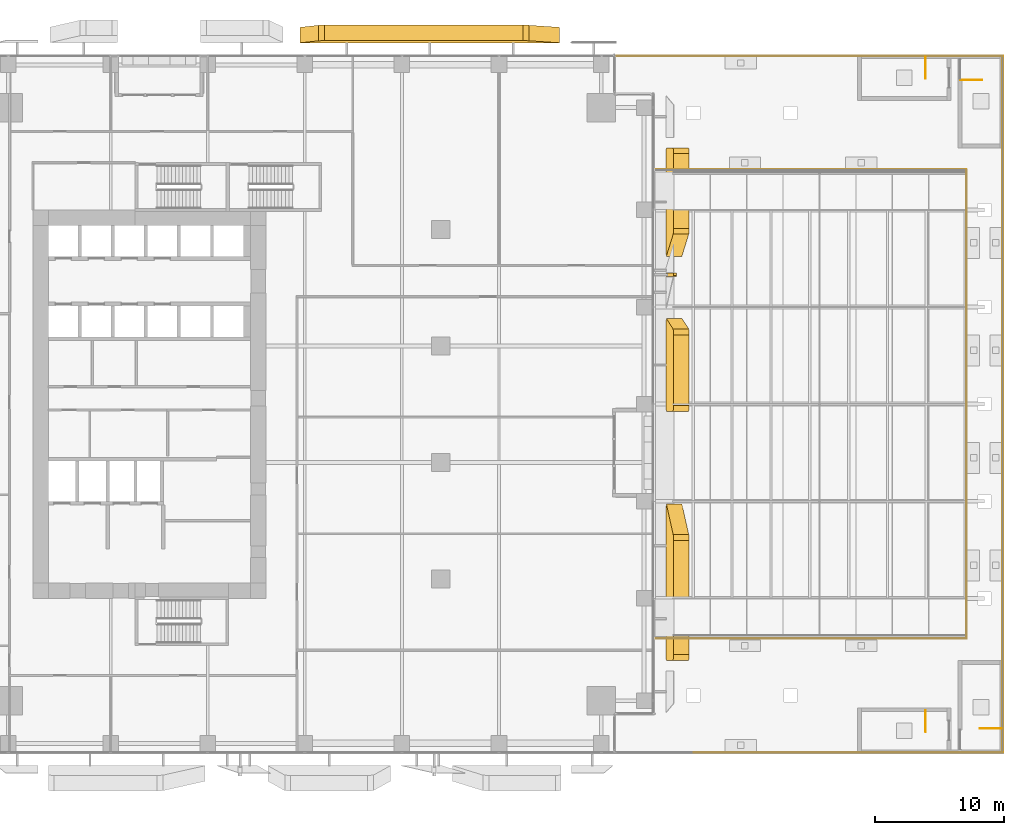
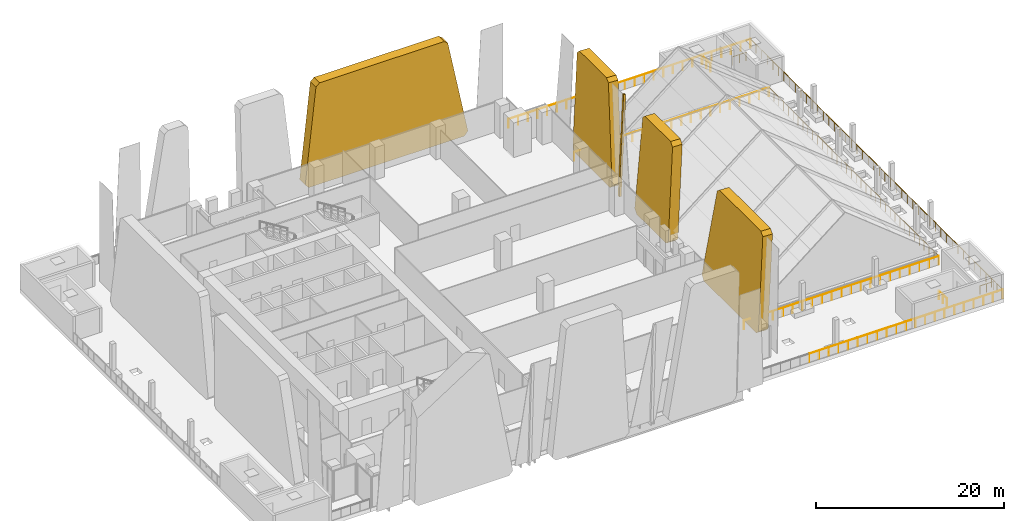
# One storey, part 45 of 46: 37 railings, 5 coverings.
"""IFC4 building model written with IfcOpenShell, lengths in metres."""

from ifc_helpers import new_model, si_unit, direction, frame, origin, origin_2d, place, context, subcontext, project, spatial, polyline, circle, outline, extrude, source, transform, mapped, material, layer, layer_set, type_object, element, save


model = new_model("IFC4")

# Units and contexts
model_context = context("Model", 3, precision=1e-05, world=origin(), true_north=direction((0.0, 1.0)))
body_context = subcontext(model_context, "Body", "Model", "MODEL_VIEW")
ifc_project = project(units=[si_unit("LENGTHUNIT", "METRE"), si_unit("AREAUNIT", "SQUARE_METRE"), si_unit("VOLUMEUNIT", "CUBIC_METRE"), si_unit("PLANEANGLEUNIT", "RADIAN"), si_unit("MASSUNIT", "GRAM", prefix="KILO")], contexts=[model_context])

# Site, building, storey
site_placement = place(None, origin())
site = spatial("IfcSite", under=ifc_project, at=site_placement, CompositionType="ELEMENT")
building_placement = place(site_placement, origin())
building = spatial("IfcBuilding", under=site, at=building_placement, Name="Khomas Fold Tower", CompositionType="ELEMENT")
storey_placement = place(building_placement, frame((0.0, 0.0, 33.0)))
storey = spatial("IfcBuildingStorey", under=building, at=storey_placement, Name="L06", CompositionType="ELEMENT", Elevation=33.0)

# Coverings
ifc_material_1 = material(Name="Natural stone cladding", Category="masonry")
ifc_layer_1 = layer(ifc_material_1, 0.25)
ifc_layer_set_1 = layer_set([ifc_layer_1], Name="Natural stone cladding")
covering_type_1 = type_object("IfcCoveringType", Name="SK-Karibib marble stone mullion", PredefinedType="CLADDING", material=ifc_layer_set_1)
covering_1_placement = place(storey_placement, frame((55.471435546875, 36.953125, 13.050048828125), z_axis=(-0.999042304017, -0.000125469863, 0.043754531682), x_axis=(-0.000125349702, 0.999999992129, 5.489875e-06)))
element("IfcCovering", 1, at=covering_1_placement, inside=storey, type_object=covering_type_1, Name="OUTER SKIN mullion L06 EM105-3", PredefinedType="CLADDING", context=body_context, shape_type="SweptSolid", body=[
    extrude(outline(polyline([(0.0, 0.0), (0.19677734220109797, 1.6667689342943508e-22), (0.1967773405791708, 13.062558119241189), (-0.10302734456096359, 13.062558119241189), (-0.10302735237849885, 0.5373765817625322), (0.0, 0.0)])), origin(), (0.0, 0.0, -1.0), 0.25),
])
ifc_material_2 = material(Name="Natural stone cladding", Category="masonry")
ifc_layer_2 = layer(ifc_material_2, 1.199951171875)
ifc_layer_set_2 = layer_set([ifc_layer_2], Name="Natural stone cladding")
covering_type_2 = type_object("IfcCoveringType", Name="SK-Karibib marble stone panel", PredefinedType="CLADDING", material=ifc_layer_set_2)
covering_2_placement = place(storey_placement, frame((55.45556640625, 16.917236328125, 12.6865234375), z_axis=(-0.999042268774, -3.561e-08, 0.043755516258), x_axis=(-0.04294173085, 0.191967007911, -0.980461460551)))
element("IfcCovering", 2, at=covering_2_placement, inside=storey, type_object=covering_type_2, Name="OUTER SKIN leaf L06 ES03-1", PredefinedType="CLADDING", context=body_context, shape_type="SweptSolid", body=[
    extrude(outline(polyline([(0.0, 0.0), (12.392266128866204, -8.881784197001252e-16), (12.834444553285039, 0.5362636837826011), (10.68348609916606, 11.53270321419693), (10.155101346340444, 11.887826753961148), (-1.780503751433697, 9.55316282760177), (-2.136126460096599, 9.025123016386559), (-0.4418863878359812, 0.36358496159893644), (0.0, 0.0)])), origin(), (0.0, 0.0, -1.0), 1.199951171875),
])
covering_3_placement = place(storey_placement, frame((54.919677734375, 26.449951171875, 0.449951171875), z_axis=(-0.999042312177, -1.048732e-05, 0.043754523993), x_axis=(0.043754523996, -8e-11, 0.999042312232)))
element("IfcCovering", 3, at=covering_3_placement, inside=storey, type_object=covering_type_2, Name="OUTER SKIN leaf L06 ES06-2", PredefinedType="CLADDING", context=body_context, shape_type="SweptSolid", body=[
    extrude(outline(polyline([(0.0, 0.0), (12.161797757607857, 1.6940658945086007e-21), (12.61217259726008, 0.44995117372011817), (12.612172596822177, 5.91162109529477), (12.191363892937733, 6.360595703543363), (0.029566135265770063, 7.160156250374393), (-0.4503855224832042, 6.710937500319018), (-0.45038552198121107, 0.44995117253832234), (0.0, 0.0)])), origin(), (0.0, 0.0, -1.0), 1.199951171875),
])
covering_4_placement = place(storey_placement, frame((54.92236328125, 38.421142578125, 0.512939453125), z_axis=(-0.99904229155, 8.745669e-06, 0.043754995341), x_axis=(0.043328576801, 0.139468179908, 0.989278151596)))
element("IfcCovering", 4, at=covering_4_placement, inside=storey, type_object=covering_type_2, Name="OUTER SKIN leaf L06 ES09-3", PredefinedType="CLADDING", context=body_context, shape_type="SweptSolid", body=[
    extrude(outline(polyline([(0.0, 0.0), (12.281587290038106, 2.220446049250313e-16), (12.72751362025374, 0.38714787510770066), (13.532315842009211, 6.101257936651326), (13.149096588111519, 6.609624495372515), (1.1061615129377664, 8.305808292353076), (0.5974239387963091, 7.923069142720134), (-0.4462720208097459, 0.5128093015272426), (0.0, 0.0)])), origin(), (0.0, 0.0, -1.0), 1.199951171875),
])
covering_5_placement = place(storey_placement, frame((26.643310546875, 54.906494140625, 0.502197265625), z_axis=(2.072995e-06, -0.999913541308, 0.013149521101), x_axis=(0.116084442922, 0.013060862384, 0.99315347051)))
element("IfcCovering", 5, at=covering_5_placement, inside=storey, type_object=covering_type_2, Name="OUTER SKIN leaf L06 NS08-3", PredefinedType="CLADDING", context=body_context, shape_type="SweptSolid", body=[
    extrude(outline(polyline([(0.0, 0.0), (12.233904730304682, 2.220446049250313e-16), (12.68084929998809, -0.3978277483004842), (14.463011903572486, -15.646331144424357), (14.153180366074919, -16.127199137499503), (2.3603171642752447, -19.900829687099233), (1.776251320289631, -19.524435584952588), (-0.4469528117997723, -0.5023016392289853), (0.0, 0.0)])), origin(), (0.0, 0.0, -1.0), 1.199951171875),
])

# Railings
ifc_material_3 = material(Name="Powder-coated steel", Category="steel")
railing_type_1 = type_object("IfcRailingType", Name="Balcony guard", PredefinedType="GUARDRAIL", material=ifc_material_3)
shared_shape_1 = source(origin(), body_context, "Body", "SweptSolid", [
    extrude(circle(Radius=0.02490234375, at=origin_2d()), frame((0.0, 0.0, 1.125), z_axis=(0.0, -1.0, 0.0), x_axis=(1.0, 0.0, 0.0)), (0.0, 0.0, 1.0), 5.977783203125),
    extrude(circle(Radius=0.02001953125, at=origin_2d()), origin(), (0.0, 0.0, 1.0), 1.099853515625),
    extrude(circle(Radius=0.02001953125, at=origin_2d()), frame((0.0, -1.195556640625, 0.0)), (0.0, 0.0, 1.0), 1.099853515625),
    extrude(circle(Radius=0.02001953125, at=origin_2d()), frame((0.0, -2.39111328125, 0.0)), (0.0, 0.0, 1.0), 1.099853515625),
    extrude(circle(Radius=0.02001953125, at=origin_2d()), frame((0.0, -3.586669921875, 0.0)), (0.0, 0.0, 1.0), 1.099853515625),
    extrude(circle(Radius=0.02001953125, at=origin_2d()), frame((0.0, -4.7822265625, 0.0)), (0.0, 0.0, 1.0), 1.099853515625),
    extrude(circle(Radius=0.02001953125, at=origin_2d()), frame((0.0, -5.977783203125, 0.0)), (0.0, 0.0, 1.0), 1.099853515625),
])
for number, where, name in (
    (6, (80.89990234375, 53.89990234375, 0.0), "GUARD 201"),
    (7, (80.89990234375, 47.922119140625, 0.0), "GUARD 201"),
    (8, (80.89990234375, 41.9443359375, 0.0), "GUARD 201"),
    (9, (80.89990234375, 35.966552734375, 0.0), "GUARD 201"),
    (10, (80.89990234375, 24.01123046875, 0.0), "GUARD 201"),
    (11, (80.89990234375, 18.033447265625, 0.0), "GUARD 201"),
    (12, (80.89990234375, 12.0556640625, 0.0), "GUARD 201"),
    (13, (80.89990234375, 6.077880859375, 0.0), "GUARD 201"),
):
    element("IfcRailing", number, at=place(storey_placement, frame(where)), inside=storey, type_object=railing_type_1, Name=name, PredefinedType="GUARDRAIL", context=body_context, shape_type="MappedRepresentation", body=[
        mapped(shared_shape_1, transform((0.0, 0.0, 0.0))),
    ])
shared_shape_2 = source(origin(), body_context, "Body", "SweptSolid", [
    extrude(circle(Radius=0.02490234375, at=origin_2d()), frame((0.0, 0.0, 1.125), z_axis=(0.0, -1.0, 0.0), x_axis=(1.0, 0.0, 0.0)), (0.0, 0.0, 1.0), 5.9775390625),
    extrude(circle(Radius=0.02001953125, at=origin_2d()), origin(), (0.0, 0.0, 1.0), 1.099853515625),
    extrude(circle(Radius=0.02001953125, at=origin_2d()), frame((0.0, -1.195556640625, 0.0)), (0.0, 0.0, 1.0), 1.099853515625),
    extrude(circle(Radius=0.02001953125, at=origin_2d()), frame((0.0, -2.39111328125, 0.0)), (0.0, 0.0, 1.0), 1.099853515625),
    extrude(circle(Radius=0.02001953125, at=origin_2d()), frame((0.0, -3.58642578125, 0.0)), (0.0, 0.0, 1.0), 1.099853515625),
    extrude(circle(Radius=0.02001953125, at=origin_2d()), frame((0.0, -4.781982421875, 0.0)), (0.0, 0.0, 1.0), 1.099853515625),
    extrude(circle(Radius=0.02001953125, at=origin_2d()), frame((0.0, -5.9775390625, 0.0)), (0.0, 0.0, 1.0), 1.099853515625),
])
railing_1_placement = place(storey_placement, frame((80.89990234375, 29.98876953125, 0.0)))
element("IfcRailing", 14, at=railing_1_placement, inside=storey, type_object=railing_type_1, Name="GUARD 201", PredefinedType="GUARDRAIL", context=body_context, shape_type="MappedRepresentation", body=[
    mapped(shared_shape_2, transform((0.0, 0.0, 0.0))),
])
shared_shape_3 = source(origin(), body_context, "Body", "SweptSolid", [
    extrude(circle(Radius=0.02490234375, at=origin_2d()), frame((0.0, 0.0, 1.125), z_axis=(-1.0, 0.0, 0.0), x_axis=(0.0, -1.0, 0.0)), (0.0, 0.0, 1.0), 5.9580078125),
    extrude(circle(Radius=0.02001953125, at=origin_2d()), origin(), (0.0, 0.0, 1.0), 1.099853515625),
    extrude(circle(Radius=0.02001953125, at=origin_2d()), frame((-1.191650390625, 0.0, 0.0)), (0.0, 0.0, 1.0), 1.099853515625),
    extrude(circle(Radius=0.02001953125, at=origin_2d()), frame((-2.38330078125, 0.0, 0.0)), (0.0, 0.0, 1.0), 1.099853515625),
    extrude(circle(Radius=0.02001953125, at=origin_2d()), frame((-3.57470703125, 0.0, 0.0)), (0.0, 0.0, 1.0), 1.099853515625),
    extrude(circle(Radius=0.02001953125, at=origin_2d()), frame((-4.766357421875, 0.0, 0.0)), (0.0, 0.0, 1.0), 1.099853515625),
    extrude(circle(Radius=0.02001953125, at=origin_2d()), frame((-5.9580078125, 0.0, 0.0)), (0.0, 0.0, 1.0), 1.099853515625),
])
for number, where, name in (
    (15, (80.89990234375, 0.10009765625, 0.0), "GUARD 201"),
    (16, (74.94189453125, 0.10009765625, 0.0), "GUARD 201"),
    (17, (68.98388671875, 0.10009765625, 0.0), "GUARD 201"),
):
    element("IfcRailing", number, at=place(storey_placement, frame(where)), inside=storey, type_object=railing_type_1, Name=name, PredefinedType="GUARDRAIL", context=body_context, shape_type="MappedRepresentation", body=[
        mapped(shared_shape_3, transform((0.0, 0.0, 0.0))),
    ])
shared_shape_4 = source(origin(), body_context, "Body", "SweptSolid", [
    extrude(circle(Radius=0.02490234375, at=origin_2d()), frame((0.0, 0.0, 1.125), z_axis=(-1.0, 0.0, 0.0), x_axis=(0.0, -1.0, 0.0)), (0.0, 0.0, 1.0), 5.957763671875),
    extrude(circle(Radius=0.02001953125, at=origin_2d()), origin(), (0.0, 0.0, 1.0), 1.099853515625),
    extrude(circle(Radius=0.02001953125, at=origin_2d()), frame((-1.191650390625, 0.0, 0.0)), (0.0, 0.0, 1.0), 1.099853515625),
    extrude(circle(Radius=0.02001953125, at=origin_2d()), frame((-2.383056640625, 0.0, 0.0)), (0.0, 0.0, 1.0), 1.099853515625),
    extrude(circle(Radius=0.02001953125, at=origin_2d()), frame((-3.57470703125, 0.0, 0.0)), (0.0, 0.0, 1.0), 1.099853515625),
    extrude(circle(Radius=0.02001953125, at=origin_2d()), frame((-4.76611328125, 0.0, 0.0)), (0.0, 0.0, 1.0), 1.099853515625),
    extrude(circle(Radius=0.02001953125, at=origin_2d()), frame((-5.957763671875, 0.0, 0.0)), (0.0, 0.0, 1.0), 1.099853515625),
])
railing_2_placement = place(storey_placement, frame((63.02587890625, 0.10009765625, 0.0)))
element("IfcRailing", 18, at=railing_2_placement, inside=storey, type_object=railing_type_1, Name="GUARD 201", PredefinedType="GUARDRAIL", context=body_context, shape_type="MappedRepresentation", body=[
    mapped(shared_shape_4, transform((0.0, 0.0, 0.0))),
])
shared_shape_5 = source(origin(), body_context, "Body", "SweptSolid", [
    extrude(circle(Radius=0.02490234375, at=origin_2d()), frame((0.0, 0.0, 1.125), z_axis=(1.0, 0.0, 0.0), x_axis=(0.0, 1.0, 0.0)), (0.0, 0.0, 1.0), 5.997314453125),
    extrude(circle(Radius=0.02001953125, at=origin_2d()), origin(), (0.0, 0.0, 1.0), 1.099853515625),
    extrude(circle(Radius=0.02001953125, at=origin_2d()), frame((1.199462890625, 0.0, 0.0)), (0.0, 0.0, 1.0), 1.099853515625),
    extrude(circle(Radius=0.02001953125, at=origin_2d()), frame((2.39892578125, 0.0, 0.0)), (0.0, 0.0, 1.0), 1.099853515625),
    extrude(circle(Radius=0.02001953125, at=origin_2d()), frame((3.598388671875, 0.0, 0.0)), (0.0, 0.0, 1.0), 1.099853515625),
    extrude(circle(Radius=0.02001953125, at=origin_2d()), frame((4.7978515625, 0.0, 0.0)), (0.0, 0.0, 1.0), 1.099853515625),
    extrude(circle(Radius=0.02001953125, at=origin_2d()), frame((5.997314453125, 0.0, 0.0)), (0.0, 0.0, 1.0), 1.099853515625),
])
railing_3_placement = place(storey_placement, frame((54.110107421875, 8.89990234375, 0.0)))
element("IfcRailing", 19, at=railing_3_placement, inside=storey, type_object=railing_type_1, Name="GUARD 201", PredefinedType="GUARDRAIL", context=body_context, shape_type="MappedRepresentation", body=[
    mapped(shared_shape_5, transform((0.0, 0.0, 0.0))),
])
shared_shape_6 = source(origin(), body_context, "Body", "SweptSolid", [
    extrude(circle(Radius=0.02490234375, at=origin_2d()), frame((0.0, 0.0, 1.125), z_axis=(1.0, 0.0, 0.0), x_axis=(0.0, 1.0, 0.0)), (0.0, 0.0, 1.0), 5.99755859375),
    extrude(circle(Radius=0.02001953125, at=origin_2d()), origin(), (0.0, 0.0, 1.0), 1.099853515625),
    extrude(circle(Radius=0.02001953125, at=origin_2d()), frame((1.199462890625, 0.0, 0.0)), (0.0, 0.0, 1.0), 1.099853515625),
    extrude(circle(Radius=0.02001953125, at=origin_2d()), frame((2.39892578125, 0.0, 0.0)), (0.0, 0.0, 1.0), 1.099853515625),
    extrude(circle(Radius=0.02001953125, at=origin_2d()), frame((3.5986328125, 0.0, 0.0)), (0.0, 0.0, 1.0), 1.099853515625),
    extrude(circle(Radius=0.02001953125, at=origin_2d()), frame((4.798095703125, 0.0, 0.0)), (0.0, 0.0, 1.0), 1.099853515625),
    extrude(circle(Radius=0.02001953125, at=origin_2d()), frame((5.99755859375, 0.0, 0.0)), (0.0, 0.0, 1.0), 1.099853515625),
])
for number, where, name in (
    (20, (60.107421875, 8.89990234375, 0.0), "GUARD 201"),
    (21, (66.10498046875, 8.89990234375, 0.0), "GUARD 201"),
    (22, (72.1025390625, 8.89990234375, 0.0), "GUARD 201"),
):
    element("IfcRailing", number, at=place(storey_placement, frame(where)), inside=storey, type_object=railing_type_1, Name=name, PredefinedType="GUARDRAIL", context=body_context, shape_type="MappedRepresentation", body=[
        mapped(shared_shape_6, transform((0.0, 0.0, 0.0))),
    ])
shared_shape_7 = source(origin(), body_context, "Body", "SweptSolid", [
    extrude(circle(Radius=0.02490234375, at=origin_2d()), frame((0.0, 0.0, 1.125), z_axis=(0.0, 1.0, 0.0), x_axis=(-1.0, 0.0, 0.0)), (0.0, 0.0, 1.0), 5.171630859375),
    extrude(circle(Radius=0.02001953125, at=origin_2d()), origin(), (0.0, 0.0, 1.0), 1.099853515625),
    extrude(circle(Radius=0.02001953125, at=origin_2d()), frame((0.0, 1.034423828125, 0.0)), (0.0, 0.0, 1.0), 1.099853515625),
    extrude(circle(Radius=0.02001953125, at=origin_2d()), frame((0.0, 2.068603515625, 0.0)), (0.0, 0.0, 1.0), 1.099853515625),
    extrude(circle(Radius=0.02001953125, at=origin_2d()), frame((0.0, 3.10302734375, 0.0)), (0.0, 0.0, 1.0), 1.099853515625),
    extrude(circle(Radius=0.02001953125, at=origin_2d()), frame((0.0, 4.13720703125, 0.0)), (0.0, 0.0, 1.0), 1.099853515625),
    extrude(circle(Radius=0.02001953125, at=origin_2d()), frame((0.0, 5.171630859375, 0.0)), (0.0, 0.0, 1.0), 1.099853515625),
])
for number, where, name in (
    (23, (78.10009765625, 8.89990234375, 0.0), "GUARD 201"),
    (24, (78.10009765625, 39.928466796875, 0.0), "GUARD 201"),
):
    element("IfcRailing", number, at=place(storey_placement, frame(where)), inside=storey, type_object=railing_type_1, Name=name, PredefinedType="GUARDRAIL", context=body_context, shape_type="MappedRepresentation", body=[
        mapped(shared_shape_7, transform((0.0, 0.0, 0.0))),
    ])
shared_shape_8 = source(origin(), body_context, "Body", "SweptSolid", [
    extrude(circle(Radius=0.02490234375, at=origin_2d()), frame((0.0, 0.0, 1.125), z_axis=(0.0, 1.0, 0.0), x_axis=(-1.0, 0.0, 0.0)), (0.0, 0.0, 1.0), 5.17138671875),
    extrude(circle(Radius=0.02001953125, at=origin_2d()), origin(), (0.0, 0.0, 1.0), 1.099853515625),
    extrude(circle(Radius=0.02001953125, at=origin_2d()), frame((0.0, 1.0341796875, 0.0)), (0.0, 0.0, 1.0), 1.099853515625),
    extrude(circle(Radius=0.02001953125, at=origin_2d()), frame((0.0, 2.068603515625, 0.0)), (0.0, 0.0, 1.0), 1.099853515625),
    extrude(circle(Radius=0.02001953125, at=origin_2d()), frame((0.0, 3.102783203125, 0.0)), (0.0, 0.0, 1.0), 1.099853515625),
    extrude(circle(Radius=0.02001953125, at=origin_2d()), frame((0.0, 4.13720703125, 0.0)), (0.0, 0.0, 1.0), 1.099853515625),
    extrude(circle(Radius=0.02001953125, at=origin_2d()), frame((0.0, 5.17138671875, 0.0)), (0.0, 0.0, 1.0), 1.099853515625),
])
for number, where, name in (
    (25, (78.10009765625, 14.071533203125, 0.0), "GUARD 201"),
    (26, (78.10009765625, 19.242919921875, 0.0), "GUARD 201"),
    (27, (78.10009765625, 24.414306640625, 0.0), "GUARD 201"),
    (28, (78.10009765625, 29.585693359375, 0.0), "GUARD 201"),
    (29, (78.10009765625, 34.757080078125, 0.0), "GUARD 201"),
):
    element("IfcRailing", number, at=place(storey_placement, frame(where)), inside=storey, type_object=railing_type_1, Name=name, PredefinedType="GUARDRAIL", context=body_context, shape_type="MappedRepresentation", body=[
        mapped(shared_shape_8, transform((0.0, 0.0, 0.0))),
    ])
shared_shape_9 = source(origin(), body_context, "Body", "SweptSolid", [
    extrude(circle(Radius=0.02490234375, at=origin_2d()), frame((0.0, 0.0, 1.125), z_axis=(-1.0, 0.0, 0.0), x_axis=(0.0, -1.0, 0.0)), (0.0, 0.0, 1.0), 5.99755859375),
    extrude(circle(Radius=0.02001953125, at=origin_2d()), origin(), (0.0, 0.0, 1.0), 1.099853515625),
    extrude(circle(Radius=0.02001953125, at=origin_2d()), frame((-1.199462890625, 0.0, 0.0)), (0.0, 0.0, 1.0), 1.099853515625),
    extrude(circle(Radius=0.02001953125, at=origin_2d()), frame((-2.39892578125, 0.0, 0.0)), (0.0, 0.0, 1.0), 1.099853515625),
    extrude(circle(Radius=0.02001953125, at=origin_2d()), frame((-3.5986328125, 0.0, 0.0)), (0.0, 0.0, 1.0), 1.099853515625),
    extrude(circle(Radius=0.02001953125, at=origin_2d()), frame((-4.798095703125, 0.0, 0.0)), (0.0, 0.0, 1.0), 1.099853515625),
    extrude(circle(Radius=0.02001953125, at=origin_2d()), frame((-5.99755859375, 0.0, 0.0)), (0.0, 0.0, 1.0), 1.099853515625),
])
for number, where, name in (
    (30, (78.10009765625, 45.10009765625, 0.0), "GUARD 201"),
    (31, (72.1025390625, 45.10009765625, 0.0), "GUARD 201"),
    (32, (66.10498046875, 45.10009765625, 0.0), "GUARD 201"),
):
    element("IfcRailing", number, at=place(storey_placement, frame(where)), inside=storey, type_object=railing_type_1, Name=name, PredefinedType="GUARDRAIL", context=body_context, shape_type="MappedRepresentation", body=[
        mapped(shared_shape_9, transform((0.0, 0.0, 0.0))),
    ])
shared_shape_10 = source(origin(), body_context, "Body", "SweptSolid", [
    extrude(circle(Radius=0.02490234375, at=origin_2d()), frame((0.0, 0.0, 1.125), z_axis=(-1.0, 0.0, 0.0), x_axis=(0.0, -1.0, 0.0)), (0.0, 0.0, 1.0), 5.997314453125),
    extrude(circle(Radius=0.02001953125, at=origin_2d()), origin(), (0.0, 0.0, 1.0), 1.099853515625),
    extrude(circle(Radius=0.02001953125, at=origin_2d()), frame((-1.199462890625, 0.0, 0.0)), (0.0, 0.0, 1.0), 1.099853515625),
    extrude(circle(Radius=0.02001953125, at=origin_2d()), frame((-2.39892578125, 0.0, 0.0)), (0.0, 0.0, 1.0), 1.099853515625),
    extrude(circle(Radius=0.02001953125, at=origin_2d()), frame((-3.598388671875, 0.0, 0.0)), (0.0, 0.0, 1.0), 1.099853515625),
    extrude(circle(Radius=0.02001953125, at=origin_2d()), frame((-4.7978515625, 0.0, 0.0)), (0.0, 0.0, 1.0), 1.099853515625),
    extrude(circle(Radius=0.02001953125, at=origin_2d()), frame((-5.997314453125, 0.0, 0.0)), (0.0, 0.0, 1.0), 1.099853515625),
])
railing_4_placement = place(storey_placement, frame((60.107421875, 45.10009765625, 0.0)))
element("IfcRailing", 33, at=railing_4_placement, inside=storey, type_object=railing_type_1, Name="GUARD 201", PredefinedType="GUARDRAIL", context=body_context, shape_type="MappedRepresentation", body=[
    mapped(shared_shape_10, transform((0.0, 0.0, 0.0))),
])
shared_shape_11 = source(origin(), body_context, "Body", "SweptSolid", [
    extrude(circle(Radius=0.02490234375, at=origin_2d()), frame((0.0, 0.0, 1.125), z_axis=(1.0, 0.0, 0.0), x_axis=(0.0, 1.0, 0.0)), (0.0, 0.0, 1.0), 5.9580078125),
    extrude(circle(Radius=0.02001953125, at=origin_2d()), origin(), (0.0, 0.0, 1.0), 1.099853515625),
    extrude(circle(Radius=0.02001953125, at=origin_2d()), frame((1.191650390625, 0.0, 0.0)), (0.0, 0.0, 1.0), 1.099853515625),
    extrude(circle(Radius=0.02001953125, at=origin_2d()), frame((2.38330078125, 0.0, 0.0)), (0.0, 0.0, 1.0), 1.099853515625),
    extrude(circle(Radius=0.02001953125, at=origin_2d()), frame((3.57470703125, 0.0, 0.0)), (0.0, 0.0, 1.0), 1.099853515625),
    extrude(circle(Radius=0.02001953125, at=origin_2d()), frame((4.766357421875, 0.0, 0.0)), (0.0, 0.0, 1.0), 1.099853515625),
    extrude(circle(Radius=0.02001953125, at=origin_2d()), frame((5.9580078125, 0.0, 0.0)), (0.0, 0.0, 1.0), 1.099853515625),
])
for number, where, name in (
    (34, (51.110107421875, 53.89990234375, 0.0), "GUARD 201"),
    (35, (63.02587890625, 53.89990234375, 0.0), "GUARD 201"),
    (36, (68.98388671875, 53.89990234375, 0.0), "GUARD 201"),
    (37, (74.94189453125, 53.89990234375, 0.0), "GUARD 201"),
):
    element("IfcRailing", number, at=place(storey_placement, frame(where)), inside=storey, type_object=railing_type_1, Name=name, PredefinedType="GUARDRAIL", context=body_context, shape_type="MappedRepresentation", body=[
        mapped(shared_shape_11, transform((0.0, 0.0, 0.0))),
    ])
shared_shape_12 = source(origin(), body_context, "Body", "SweptSolid", [
    extrude(circle(Radius=0.02490234375, at=origin_2d()), frame((0.0, 0.0, 1.125), z_axis=(1.0, 0.0, 0.0), x_axis=(0.0, 1.0, 0.0)), (0.0, 0.0, 1.0), 5.957763671875),
    extrude(circle(Radius=0.02001953125, at=origin_2d()), origin(), (0.0, 0.0, 1.0), 1.099853515625),
    extrude(circle(Radius=0.02001953125, at=origin_2d()), frame((1.191650390625, 0.0, 0.0)), (0.0, 0.0, 1.0), 1.099853515625),
    extrude(circle(Radius=0.02001953125, at=origin_2d()), frame((2.383056640625, 0.0, 0.0)), (0.0, 0.0, 1.0), 1.099853515625),
    extrude(circle(Radius=0.02001953125, at=origin_2d()), frame((3.57470703125, 0.0, 0.0)), (0.0, 0.0, 1.0), 1.099853515625),
    extrude(circle(Radius=0.02001953125, at=origin_2d()), frame((4.76611328125, 0.0, 0.0)), (0.0, 0.0, 1.0), 1.099853515625),
    extrude(circle(Radius=0.02001953125, at=origin_2d()), frame((5.957763671875, 0.0, 0.0)), (0.0, 0.0, 1.0), 1.099853515625),
])
railing_5_placement = place(storey_placement, frame((57.068115234375, 53.89990234375, 0.0)))
element("IfcRailing", 38, at=railing_5_placement, inside=storey, type_object=railing_type_1, Name="GUARD 201", PredefinedType="GUARDRAIL", context=body_context, shape_type="MappedRepresentation", body=[
    mapped(shared_shape_12, transform((0.0, 0.0, 0.0))),
])
ifc_material_4 = material(Name="Steel balustrade", Category="steel")
railing_type_2 = type_object("IfcRailingType", Name="Stair guard", PredefinedType="GUARDRAIL", material=ifc_material_4)
shared_shape_13 = source(origin(), body_context, "Body", "SweptSolid", [
    extrude(circle(Radius=0.02392578125, at=origin_2d()), frame((0.0, 0.0, 1.076171875), z_axis=(-1.0, 0.0, 0.0), x_axis=(0.0, -1.0, 0.0)), (0.0, 0.0, 1.0), 1.650146484375),
    extrude(circle(Radius=0.02099609375, at=origin_2d()), origin(), (0.0, 0.0, 1.0), 1.052001953125),
    extrude(circle(Radius=0.02099609375, at=origin_2d()), frame((-0.8251953125, 0.0, 0.0)), (0.0, 0.0, 1.0), 1.052001953125),
    extrude(circle(Radius=0.02099609375, at=origin_2d()), frame((-1.650146484375, 0.0, 0.0)), (0.0, 0.0, 1.0), 1.052001953125),
])
railing_6_placement = place(storey_placement, frame((80.800048828125, 1.949951171875, 0.0)))
element("IfcRailing", 39, at=railing_6_placement, inside=storey, type_object=railing_type_2, Name="L06 PS4 top well guard 1", PredefinedType="GUARDRAIL", context=body_context, shape_type="MappedRepresentation", body=[
    mapped(shared_shape_13, transform((0.0, 0.0, 0.0))),
])
shared_shape_14 = source(origin(), body_context, "Body", "SweptSolid", [
    extrude(circle(Radius=0.02392578125, at=origin_2d()), frame((0.0, 0.0, 1.076171875), z_axis=(0.0, -1.0, 0.0), x_axis=(1.0, 0.0, 0.0)), (0.0, 0.0, 1.0), 1.650146484375),
    extrude(circle(Radius=0.02099609375, at=origin_2d()), origin(), (0.0, 0.0, 1.0), 1.052001953125),
    extrude(circle(Radius=0.02099609375, at=origin_2d()), frame((0.0, -0.8251953125, 0.0)), (0.0, 0.0, 1.0), 1.052001953125),
    extrude(circle(Radius=0.02099609375, at=origin_2d()), frame((0.0, -1.650146484375, 0.0)), (0.0, 0.0, 1.0), 1.052001953125),
])
for number, where, name in (
    (40, (74.949951171875, 3.35009765625, 0.0), "L06 PS3 top well guard 1"),
    (41, (74.949951171875, 53.800048828125, 0.0), "L06 PS5 top well guard 1"),
):
    element("IfcRailing", number, at=place(storey_placement, frame(where)), inside=storey, type_object=railing_type_2, Name=name, PredefinedType="GUARDRAIL", context=body_context, shape_type="MappedRepresentation", body=[
        mapped(shared_shape_14, transform((0.0, 0.0, 0.0))),
    ])
shared_shape_15 = source(origin(), body_context, "Body", "SweptSolid", [
    extrude(circle(Radius=0.02392578125, at=origin_2d()), frame((0.0, 0.0, 1.076171875), z_axis=(1.0, 0.0, 0.0), x_axis=(0.0, 1.0, 0.0)), (0.0, 0.0, 1.0), 1.650146484375),
    extrude(circle(Radius=0.02099609375, at=origin_2d()), origin(), (0.0, 0.0, 1.0), 1.052001953125),
    extrude(circle(Radius=0.02099609375, at=origin_2d()), frame((0.8251953125, 0.0, 0.0)), (0.0, 0.0, 1.0), 1.052001953125),
    extrude(circle(Radius=0.02099609375, at=origin_2d()), frame((1.650146484375, 0.0, 0.0)), (0.0, 0.0, 1.0), 1.052001953125),
])
railing_7_placement = place(storey_placement, frame((77.64990234375, 52.050048828125, 0.0)))
element("IfcRailing", 42, at=railing_7_placement, inside=storey, type_object=railing_type_2, Name="L06 PS6 top well guard 1", PredefinedType="GUARDRAIL", context=body_context, shape_type="MappedRepresentation", body=[
    mapped(shared_shape_15, transform((0.0, 0.0, 0.0))),
])

save(model, "model.ifc")
